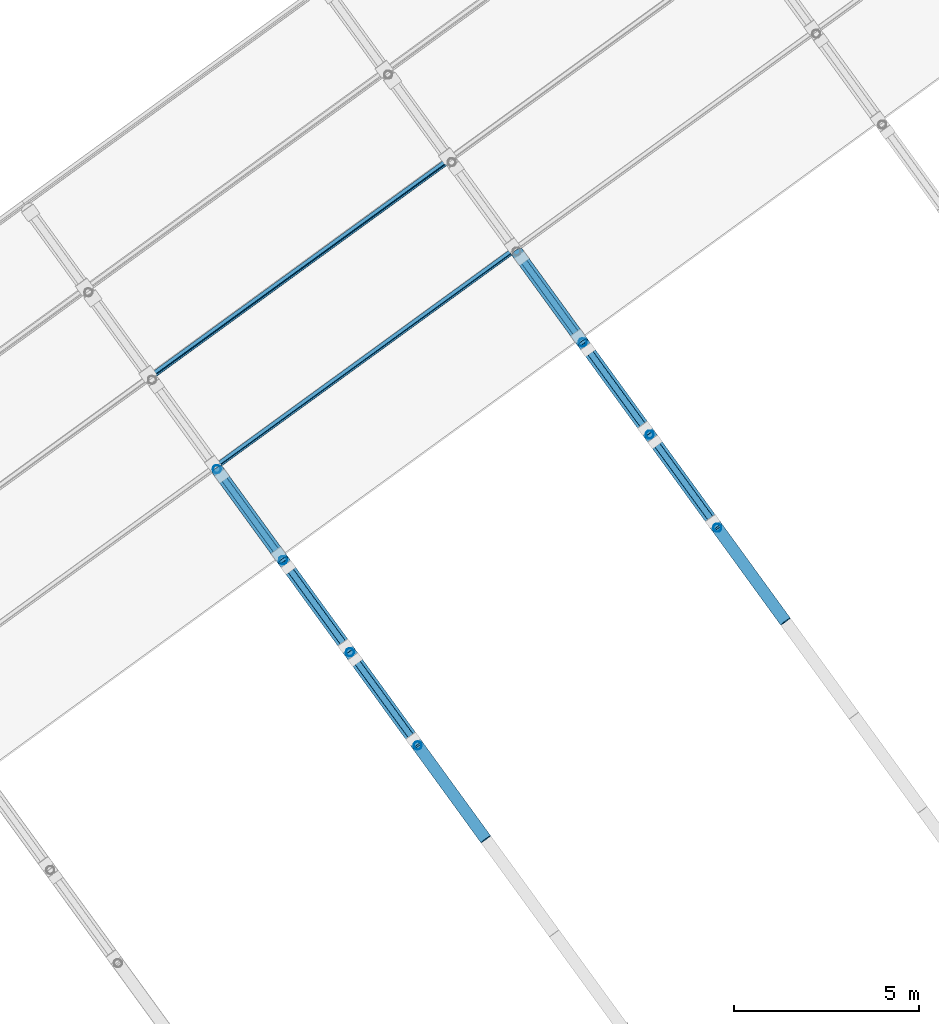
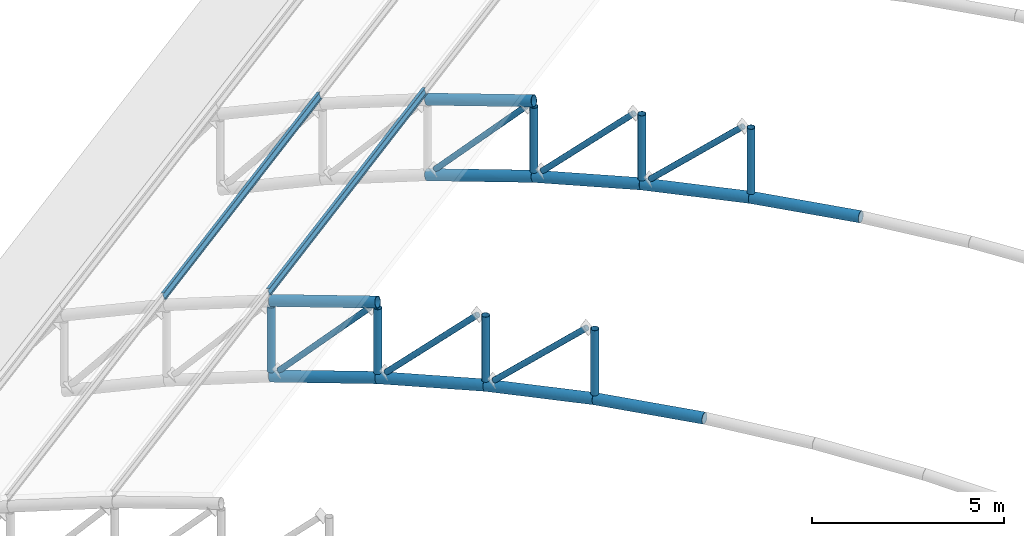
# One storey, part 22 of 69: 23 members, 2 beams.
"""IFC4 building model written with IfcOpenShell, lengths in metres."""

from ifc_helpers import new_model, si_unit, direction, frame, origin, origin_2d, place, context, subcontext, project, spatial, hollow_circle, i_section, extrude, material, material_profile, profile_set, type_object, element, save


model = new_model("IFC4")

# Units and contexts
model_context = context("Model", 3, precision=1e-05, world=origin(), true_north=direction((0.0, 1.0)))
body_context = subcontext(model_context, "Body", "Model", "MODEL_VIEW")
ifc_project = project(units=[si_unit("LENGTHUNIT", "METRE"), si_unit("AREAUNIT", "SQUARE_METRE"), si_unit("VOLUMEUNIT", "CUBIC_METRE"), si_unit("PLANEANGLEUNIT", "RADIAN"), si_unit("MASSUNIT", "GRAM", prefix="KILO")], contexts=[model_context])

# Site, building, storey
site_placement = place(None, origin())
site = spatial("IfcSite", under=ifc_project, at=site_placement, CompositionType="ELEMENT")
building_placement = place(site_placement, origin())
building = spatial("IfcBuilding", under=site, at=building_placement, Name="Okhra Congress Centre", CompositionType="ELEMENT")
storey_placement = place(building_placement, frame((0.0, 0.0, 16.800048828125)))
storey = spatial("IfcBuildingStorey", under=building, at=storey_placement, Name="L03", CompositionType="ELEMENT", Elevation=16.800048828125)

# Members
ifc_material_1 = material(Name="Steel S355J2H", Category="steel")
ifc_material_profile_1 = material_profile(ifc_material_1, hollow_circle(Radius=0.084228515625, WallThickness=0.00634765625, at=origin_2d()), Name="CHS 168.3x6.3")
ifc_profile_set_1 = profile_set([ifc_material_profile_1], Name="Steel S355J2H")
member_type_1 = type_object("IfcMemberType", Name="CHS 168.3x6.3", PredefinedType="BRACE", material=ifc_profile_set_1)
member_1_placement = place(storey_placement, frame((216.66357421875, 191.21728515625, 3.290283203125), z_axis=(0.432835381478, -0.595779555186, 0.676535478865), x_axis=(0.809032364404, 0.587764096681, 0.0)))
element("IfcMember", 1, at=member_1_placement, inside=storey, type_object=member_type_1, Name="Truss 2 diagonal 12", PredefinedType="BRACE", context=body_context, shape_type="SweptSolid", body=[
    extrude(hollow_circle(Radius=0.084228515625, WallThickness=0.00634765625, at=origin_2d()), origin(), (0.0, 0.0, 1.0), 3.579345703125),
])
member_2_placement = place(storey_placement, frame((214.855712890625, 193.70556640625, 2.67236328125), z_axis=(0.418384895313, -0.575888221671, 0.702358053641), x_axis=(0.809031950979, 0.587764665742, 0.0)))
element("IfcMember", 2, at=member_2_placement, inside=storey, type_object=member_type_1, Name="Truss 2 diagonal 13", PredefinedType="BRACE", context=body_context, shape_type="SweptSolid", body=[
    extrude(hollow_circle(Radius=0.084228515625, WallThickness=0.00634765625, at=origin_2d()), origin(), (0.0, 0.0, 1.0), 3.658203125),
])
member_3_placement = place(storey_placement, frame((213.0634765625, 196.172119140625, 1.861572265625), z_axis=(0.403566104127, -0.555431833884, 0.727069375994), x_axis=(0.809002272195, 0.587805515102, 0.0)))
element("IfcMember", 3, at=member_3_placement, inside=storey, type_object=member_type_1, Name="Truss 2 diagonal 14", PredefinedType="BRACE", context=body_context, shape_type="SweptSolid", body=[
    extrude(hollow_circle(Radius=0.084228515625, WallThickness=0.00634765625, at=origin_2d()), origin(), (0.0, 0.0, 1.0), 3.753662109375),
])
member_4_placement = place(storey_placement, frame((224.753662109375, 197.094970703125, 3.290283203125), z_axis=(0.432852970134, -0.595735556437, 0.676562970494), x_axis=(0.80900036382, 0.587808141607, 0.0)))
element("IfcMember", 4, at=member_4_placement, inside=storey, type_object=member_type_1, Name="Truss 3 diagonal 12", PredefinedType="BRACE", context=body_context, shape_type="SweptSolid", body=[
    extrude(hollow_circle(Radius=0.084228515625, WallThickness=0.00634765625, at=origin_2d()), origin(), (0.0, 0.0, 1.0), 3.579345703125),
])
member_5_placement = place(storey_placement, frame((222.94580078125, 199.583251953125, 2.67236328125), z_axis=(0.418384895313, -0.575888221671, 0.702358053641), x_axis=(0.809031950979, 0.587764665742, 0.0)))
element("IfcMember", 5, at=member_5_placement, inside=storey, type_object=member_type_1, Name="Truss 3 diagonal 13", PredefinedType="BRACE", context=body_context, shape_type="SweptSolid", body=[
    extrude(hollow_circle(Radius=0.084228515625, WallThickness=0.00634765625, at=origin_2d()), origin(), (0.0, 0.0, 1.0), 3.658203125),
])
member_6_placement = place(storey_placement, frame((221.153564453125, 202.050048828125, 1.861572265625), z_axis=(0.403566104127, -0.555431833884, 0.727069375994), x_axis=(0.809002272195, 0.587805515102, 0.0)))
element("IfcMember", 6, at=member_6_placement, inside=storey, type_object=member_type_1, Name="Truss 3 diagonal 14", PredefinedType="BRACE", context=body_context, shape_type="SweptSolid", body=[
    extrude(hollow_circle(Radius=0.084228515625, WallThickness=0.00634765625, at=origin_2d()), origin(), (0.0, 0.0, 1.0), 3.753662109375),
])
ifc_material_profile_2 = material_profile(ifc_material_1, hollow_circle(Radius=0.109619140625, WallThickness=0.008056640625, at=origin_2d()), Name="CHS 219.1x8")
ifc_profile_set_2 = profile_set([ifc_material_profile_2], Name="Steel S355J2H")
member_type_2 = type_object("IfcMemberType", Name="CHS 219.1x8", PredefinedType="POST", material=ifc_profile_set_2)
member_7_placement = place(storey_placement, frame((218.345703125, 188.90185546875, 3.6845703125), z_axis=(0.0, 0.0, 1.0), x_axis=(1.0, 0.0, 0.0)))
element("IfcMember", 7, at=member_7_placement, inside=storey, type_object=member_type_2, Name="Truss 2 post 11", PredefinedType="POST", context=body_context, shape_type="SweptSolid", body=[
    extrude(hollow_circle(Radius=0.109619140625, WallThickness=0.008056640625, at=origin_2d()), origin(), (0.0, 0.0, 1.0), 2.06982421875),
])
member_8_placement = place(storey_placement, frame((216.518798828125, 191.416259765625, 3.230712890625), z_axis=(0.0, 0.0, 1.0), x_axis=(1.0, 0.0, 0.0)))
element("IfcMember", 8, at=member_8_placement, inside=storey, type_object=member_type_2, Name="Truss 2 post 12", PredefinedType="POST", context=body_context, shape_type="SweptSolid", body=[
    extrude(hollow_circle(Radius=0.109619140625, WallThickness=0.008056640625, at=origin_2d()), origin(), (0.0, 0.0, 1.0), 2.067138671875),
])
member_9_placement = place(storey_placement, frame((214.710693359375, 193.905029296875, 2.597412109375), z_axis=(0.0, 0.0, 1.0), x_axis=(1.0, 0.0, 0.0)))
element("IfcMember", 9, at=member_9_placement, inside=storey, type_object=member_type_2, Name="Truss 2 post 13", PredefinedType="POST", context=body_context, shape_type="SweptSolid", body=[
    extrude(hollow_circle(Radius=0.109619140625, WallThickness=0.008056640625, at=origin_2d()), origin(), (0.0, 0.0, 1.0), 2.063232421875),
])
member_10_placement = place(storey_placement, frame((212.92724609375, 196.35986328125, 1.787109375), z_axis=(0.0, 0.0, 1.0), x_axis=(1.0, 0.0, 0.0)))
element("IfcMember", 10, at=member_10_placement, inside=storey, type_object=member_type_2, Name="Truss 2 post 14", PredefinedType="POST", context=body_context, shape_type="SweptSolid", body=[
    extrude(hollow_circle(Radius=0.109619140625, WallThickness=0.008056640625, at=origin_2d()), origin(), (0.0, 0.0, 1.0), 2.057861328125),
])
member_11_placement = place(storey_placement, frame((226.435791015625, 194.77978515625, 3.6845703125), z_axis=(0.0, 0.0, 1.0), x_axis=(1.0, 0.0, 0.0)))
element("IfcMember", 11, at=member_11_placement, inside=storey, type_object=member_type_2, Name="Truss 3 post 11", PredefinedType="POST", context=body_context, shape_type="SweptSolid", body=[
    extrude(hollow_circle(Radius=0.109619140625, WallThickness=0.008056640625, at=origin_2d()), origin(), (0.0, 0.0, 1.0), 2.06982421875),
])
member_12_placement = place(storey_placement, frame((224.60888671875, 197.294189453125, 3.230712890625), z_axis=(0.0, 0.0, 1.0), x_axis=(1.0, 0.0, 0.0)))
element("IfcMember", 12, at=member_12_placement, inside=storey, type_object=member_type_2, Name="Truss 3 post 12", PredefinedType="POST", context=body_context, shape_type="SweptSolid", body=[
    extrude(hollow_circle(Radius=0.109619140625, WallThickness=0.008056640625, at=origin_2d()), origin(), (0.0, 0.0, 1.0), 2.067138671875),
])
member_13_placement = place(storey_placement, frame((222.80078125, 199.782958984375, 2.597412109375), z_axis=(0.0, 0.0, 1.0), x_axis=(1.0, 0.0, 0.0)))
element("IfcMember", 13, at=member_13_placement, inside=storey, type_object=member_type_2, Name="Truss 3 post 13", PredefinedType="POST", context=body_context, shape_type="SweptSolid", body=[
    extrude(hollow_circle(Radius=0.109619140625, WallThickness=0.008056640625, at=origin_2d()), origin(), (0.0, 0.0, 1.0), 2.063232421875),
])
ifc_material_profile_3 = material_profile(ifc_material_1, hollow_circle(Radius=0.161865234375, WallThickness=0.012451171875, at=origin_2d()), Name="CHS 323.9x12.5")
ifc_profile_set_3 = profile_set([ifc_material_profile_3], Name="Steel S355J2H")
member_type_3 = type_object("IfcMemberType", Name="CHS 323.9x12.5", PredefinedType="CHORD", material=ifc_profile_set_3)
member_14_placement = place(storey_placement, frame((220.184814453125, 186.370361328125, 3.793212890625), z_axis=(-0.585523302268, 0.805959262076, -0.087132831786), x_axis=(-0.809036267872, -0.587758723684, 0.0)))
element("IfcMember", 14, at=member_14_placement, inside=storey, type_object=member_type_3, Name="Truss 2 bottom chord 11", PredefinedType="CHORD", context=body_context, shape_type="SweptSolid", body=[
    extrude(hollow_circle(Radius=0.161865234375, WallThickness=0.012451171875, at=origin_2d()), origin(), (0.0, 0.0, 1.0), 3.140869140625),
])
for number, where, z_axis, x_axis, name in (
    (15, (218.345703125, 188.90185546875, 3.51953125), (-0.581594707866, 0.800460229362, -0.144951774712), (-0.809004349852, -0.587802655592, 0.0), "Truss 2 bottom chord 12"),
    (16, (216.518798828125, 191.416259765625, 3.064208984375), (-0.575620603169, 0.792313857508, -0.202236674243), (-0.80903112876, -0.587765797488, 0.0), "Truss 2 bottom chord 13"),
):
    element("IfcMember", number, at=place(storey_placement, frame(where, z_axis=z_axis, x_axis=x_axis)), inside=storey, type_object=member_type_3, Name=name, PredefinedType="CHORD", context=body_context, shape_type="SweptSolid", body=[
        extrude(hollow_circle(Radius=0.161865234375, WallThickness=0.012451171875, at=origin_2d()), origin(), (0.0, 0.0, 1.0), 3.14111328125),
    ])
for number, where, z_axis, x_axis, name in (
    (17, (214.710693359375, 193.905029296875, 2.428955078125), (-0.567739531502, 0.781467623443, -0.258805289514), (-0.809031729281, -0.5877649709, 0.0), "Truss 2 bottom chord 14"),
    (18, (214.710693359375, 193.905029296875, 4.8291015625), (-0.567739531502, 0.781467623443, -0.258805289514), (-0.809031729281, -0.5877649709, 0.0), "Truss 2 top chord 14"),
):
    element("IfcMember", number, at=place(storey_placement, frame(where, z_axis=z_axis, x_axis=x_axis)), inside=storey, type_object=member_type_3, Name=name, PredefinedType="CHORD", context=body_context, shape_type="SweptSolid", body=[
        extrude(hollow_circle(Radius=0.161865234375, WallThickness=0.012451171875, at=origin_2d()), origin(), (0.0, 0.0, 1.0), 3.141357421875),
    ])
for number, where, z_axis, x_axis, name in (
    (19, (228.275146484375, 192.248291015625, 3.793212890625), (-0.585574378555, 0.805922581794, -0.087128866254), (-0.808999165888, -0.587809790317, 0.0), "Truss 3 bottom chord 11"),
    (20, (226.435791015625, 194.77978515625, 3.51953125), (-0.581594707866, 0.800460229362, -0.144951774712), (-0.809004349852, -0.587802655592, 0.0), "Truss 3 bottom chord 12"),
    (21, (224.60888671875, 197.294189453125, 3.064208984375), (-0.575620603169, 0.792313857508, -0.202236674243), (-0.80903112876, -0.587765797488, 0.0), "Truss 3 bottom chord 13"),
    (22, (222.80078125, 199.782958984375, 2.428955078125), (-0.567774014658, 0.781437363911, -0.258821008735), (-0.809003930018, -0.587803233417, 0.0), "Truss 3 bottom chord 14"),
    (23, (222.80078125, 199.782958984375, 4.8291015625), (-0.567774014658, 0.781437363911, -0.258821008735), (-0.809003930018, -0.587803233417, 0.0), "Truss 3 top chord 14"),
):
    element("IfcMember", number, at=place(storey_placement, frame(where, z_axis=z_axis, x_axis=x_axis)), inside=storey, type_object=member_type_3, Name=name, PredefinedType="CHORD", context=body_context, shape_type="SweptSolid", body=[
        extrude(hollow_circle(Radius=0.161865234375, WallThickness=0.012451171875, at=origin_2d()), origin(), (0.0, 0.0, 1.0), 3.14111328125),
    ])

# Beams
ifc_material_2 = material(Name="Steel S355J2", Category="steel")
ifc_material_profile_4 = material_profile(ifc_material_2, i_section(OverallWidth=0.10009765625, OverallDepth=0.199951171875, WebThickness=0.005615234375, FlangeThickness=0.008544921875, FilletRadius=0.011962890625, at=origin_2d()), Name="IPE 200")
ifc_profile_set_4 = profile_set([ifc_material_profile_4], Name="Steel S355J2")
beam_type = type_object("IfcBeamType", Name="IPE 200", PredefinedType="BEAM", material=ifc_profile_set_4)
for number, where, z_axis, x_axis, name in (
    (24, (212.883544921875, 196.419921875, 4.26416015625), (0.809022099746, 0.587778225288, 0.0), (-0.563085375393, 0.775034686786, -0.286803232717), "Purlin 15.86"),
    (25, (211.12255859375, 198.84375, 3.271240234375), (0.809022099746, 0.587778225288, 0.0), (-0.552330860962, 0.760232097184, -0.342020143326), "Purlin 16.92"),
):
    element("IfcBeam", number, at=place(storey_placement, frame(where, z_axis=z_axis, x_axis=x_axis)), inside=storey, type_object=beam_type, Name=name, PredefinedType="BEAM", context=body_context, shape_type="SweptSolid", body=[
        extrude(i_section(OverallWidth=0.10009765625, OverallDepth=0.199951171875, WebThickness=0.005615234375, FlangeThickness=0.008544921875, FilletRadius=0.011962890625, at=origin_2d()), origin(), (0.0, 0.0, 1.0), 9.999755859375),
    ])

save(model, "model.ifc")
